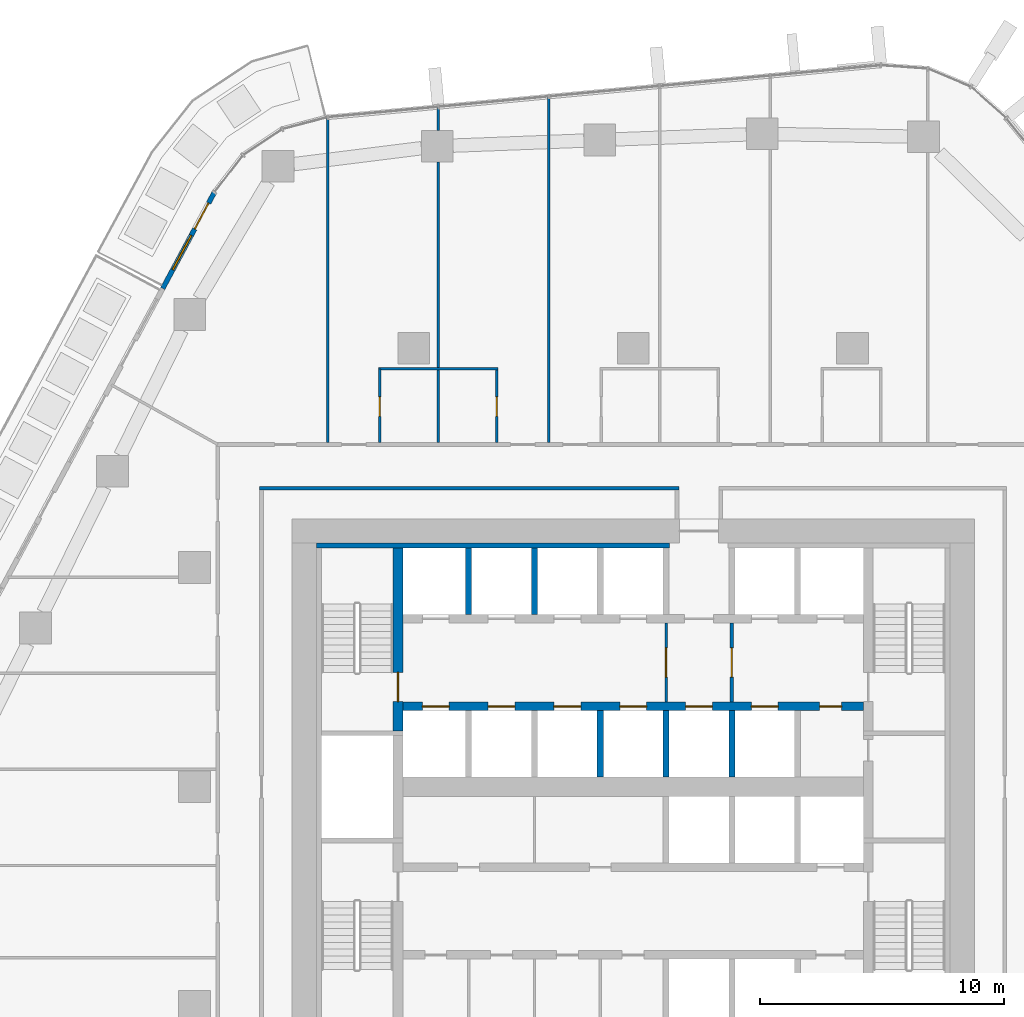
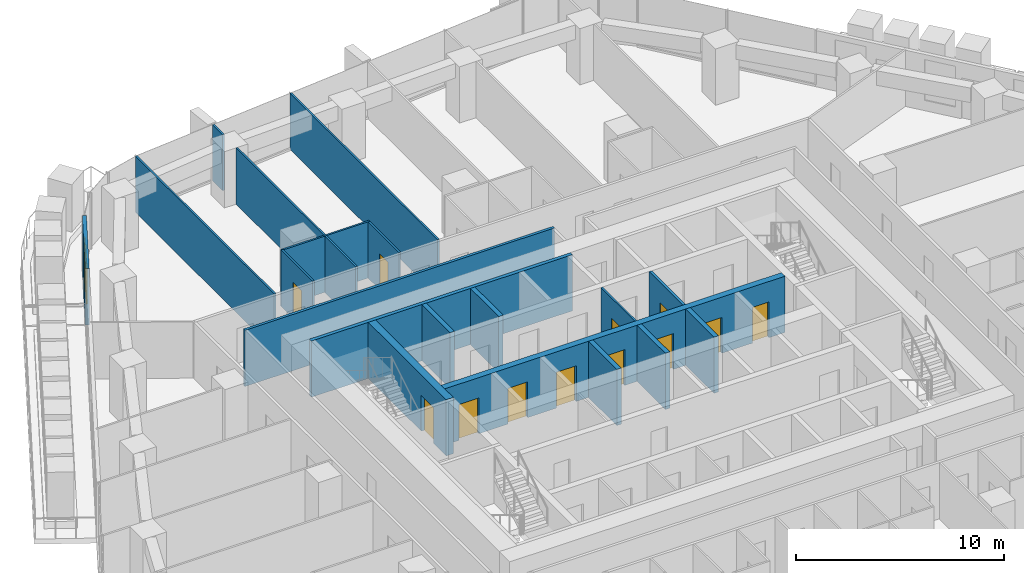
# One storey, part 15 of 24: 20 walls, 13 doors, 1 window, 14 openings.
"""IFC4 building model written with IfcOpenShell, lengths in metres."""

from ifc_helpers import new_model, si_unit, direction, frame, frame_2d, origin, place, context, subcontext, project, spatial, rectangle, extrude, material, layer, layer_set, type_object, element, fill, save


model = new_model("IFC4")

# Units and contexts
model_context = context("Model", 3, precision=1e-05, world=origin(), true_north=direction((0.0, 1.0)))
body_context = subcontext(model_context, "Body", "Model", "MODEL_VIEW")
ifc_project = project(units=[si_unit("LENGTHUNIT", "METRE"), si_unit("AREAUNIT", "SQUARE_METRE"), si_unit("VOLUMEUNIT", "CUBIC_METRE"), si_unit("PLANEANGLEUNIT", "RADIAN"), si_unit("MASSUNIT", "GRAM", prefix="KILO")], contexts=[model_context])

# Site, building, storey
site_placement = place(None, origin())
site = spatial("IfcSite", under=ifc_project, at=site_placement, CompositionType="ELEMENT")
building_placement = place(site_placement, origin())
building = spatial("IfcBuilding", under=site, at=building_placement, Name="Dongbaek Canopy Tower", CompositionType="ELEMENT")
storey_placement = place(building_placement, frame((0.0, 0.0, 117.39990234375)))
storey = spatial("IfcBuildingStorey", under=building, at=storey_placement, Name="L25", CompositionType="ELEMENT", Elevation=117.39990234375)

# Wall, openings, doors
ifc_material_1 = material(Name="Concrete C60/75", Category="concrete")
ifc_layer_1 = layer(ifc_material_1, 0.35009765625)
ifc_layer_set_1 = layer_set([ifc_layer_1], Name="Core lobby wall 350 Concrete C60/75")
wall_type_1 = type_object("IfcWallType", Name="Core lobby wall 350 Concrete C60/75", PredefinedType="SHEAR", material=ifc_layer_set_1)
wall_1_placement = place(storey_placement, frame((9.449951171875, 3.300048828125, 0.0), z_axis=(0.0, 0.0, 1.0), x_axis=(-1.0, 0.0, 0.0)))
wall_1 = element("IfcWall", 1, at=wall_1_placement, inside=storey, type_object=wall_type_1, Name="Core wall", PredefinedType="SHEAR", context=body_context, shape_type="SweptSolid", body=[
    extrude(rectangle(XDim=18.89990234375, YDim=0.35009765625, at=frame_2d((9.449951171875, 0.0))), origin(), (0.0, 0.0, 1.0), 3.300048828125),
])
opening_1_placement = place(wall_1_placement, frame((17.0, 0.0, 0.0)))
opening_1 = element("IfcOpeningElement", 2, at=opening_1_placement, cuts=wall_1, Name="Opening L25-D052", PredefinedType="OPENING", context=body_context, shape_type="SweptSolid", body=[
    extrude(rectangle(XDim=1.10009765625, YDim=2.10009765625, at=frame_2d((0.550048828125, 1.050048828125))), frame((0.0, 0.18505859375, 0.0), z_axis=(0.0, -1.0, 0.0), x_axis=(1.0, 0.0, 0.0)), (0.0, 0.0, 1.0), 0.3701171875),
])
opening_2_placement = place(wall_1_placement, frame((14.300048828125, 0.0, 0.0)))
opening_2 = element("IfcOpeningElement", 3, at=opening_2_placement, cuts=wall_1, Name="Opening L25-D053", PredefinedType="OPENING", context=body_context, shape_type="SweptSolid", body=[
    extrude(rectangle(XDim=1.10009765625, YDim=2.10009765625, at=frame_2d((0.550048828125, 1.050048828125))), frame((0.0, 0.18505859375, 0.0), z_axis=(0.0, -1.0, 0.0), x_axis=(1.0, 0.0, 0.0)), (0.0, 0.0, 1.0), 0.3701171875),
])
opening_3_placement = place(wall_1_placement, frame((11.60009765625, 0.0, 0.0)))
opening_3 = element("IfcOpeningElement", 4, at=opening_3_placement, cuts=wall_1, Name="Opening L25-D054", PredefinedType="OPENING", context=body_context, shape_type="SweptSolid", body=[
    extrude(rectangle(XDim=1.10009765625, YDim=2.10009765625, at=frame_2d((0.550048828125, 1.050048828125))), frame((0.0, 0.18505859375, 0.0), z_axis=(0.0, -1.0, 0.0), x_axis=(1.0, 0.0, 0.0)), (0.0, 0.0, 1.0), 0.3701171875),
])
opening_4_placement = place(wall_1_placement, frame((8.89990234375, 0.0, 0.0)))
opening_4 = element("IfcOpeningElement", 5, at=opening_4_placement, cuts=wall_1, Name="Opening L25-D055", PredefinedType="OPENING", context=body_context, shape_type="SweptSolid", body=[
    extrude(rectangle(XDim=1.10009765625, YDim=2.10009765625, at=frame_2d((0.550048828125, 1.050048828125))), frame((0.0, 0.18505859375, 0.0), z_axis=(0.0, -1.0, 0.0), x_axis=(1.0, 0.0, 0.0)), (0.0, 0.0, 1.0), 0.3701171875),
])
opening_5_placement = place(wall_1_placement, frame((6.199951171875, 0.0, 0.0)))
opening_5 = element("IfcOpeningElement", 6, at=opening_5_placement, cuts=wall_1, Name="Opening L25-D056", PredefinedType="OPENING", context=body_context, shape_type="SweptSolid", body=[
    extrude(rectangle(XDim=1.10009765625, YDim=2.10009765625, at=frame_2d((0.550048828125, 1.050048828125))), frame((0.0, 0.18505859375, 0.0), z_axis=(0.0, -1.0, 0.0), x_axis=(1.0, 0.0, 0.0)), (0.0, 0.0, 1.0), 0.3701171875),
])
opening_6_placement = place(wall_1_placement, frame((3.5, 0.0, 0.0)))
opening_6 = element("IfcOpeningElement", 7, at=opening_6_placement, cuts=wall_1, Name="Opening L25-D057", PredefinedType="OPENING", context=body_context, shape_type="SweptSolid", body=[
    extrude(rectangle(XDim=1.10009765625, YDim=2.10009765625, at=frame_2d((0.550048828125, 1.050048828125))), frame((0.0, 0.18505859375, 0.0), z_axis=(0.0, -1.0, 0.0), x_axis=(1.0, 0.0, 0.0)), (0.0, 0.0, 1.0), 0.3701171875),
])
opening_7_placement = place(wall_1_placement, frame((0.89990234375, 0.0, 0.0)))
opening_7 = element("IfcOpeningElement", 8, at=opening_7_placement, cuts=wall_1, Name="Opening L25-D058", PredefinedType="OPENING", context=body_context, shape_type="SweptSolid", body=[
    extrude(rectangle(XDim=0.89990234375, YDim=2.10009765625, at=frame_2d((0.449951171875, 1.050048828125))), frame((0.0, 0.18505859375, 0.0), z_axis=(0.0, -1.0, 0.0), x_axis=(1.0, 0.0, 0.0)), (0.0, 0.0, 1.0), 0.3701171875),
])
ifc_material_2 = material(Name="Steel", Category="steel")
door_type_1 = type_object("IfcDoorType", Name="Core room door 900 x 2100", OperationType="SINGLE_SWING_LEFT", PredefinedType="DOOR", material=ifc_material_2)
door_1_placement = place(opening_7_placement, origin())
door_1 = element("IfcDoor", 9, at=door_1_placement, inside=storey, type_object=door_type_1, Name="Door L25-D058", OperationType="SINGLE_SWING_LEFT", OverallHeight=2.10009765625, OverallWidth=0.89990234375, PredefinedType="DOOR", context=body_context, shape_type="SweptSolid", body=[
    extrude(rectangle(XDim=0.89990234375, YDim=2.10009765625, at=frame_2d((0.449951171875, 1.050048828125))), frame((0.0, 0.02490234375, 0.0), z_axis=(0.0, -1.0, 0.0), x_axis=(1.0, 0.0, 0.0)), (0.0, 0.0, 1.0), 0.050048828125),
])
fill(opening_7, door_1)
ifc_material_3 = material(Name="Stainless steel", Category="steel")
door_type_2 = type_object("IfcDoorType", Name="Lift landing door 1100 x 2100", OperationType="DOUBLE_DOOR_SLIDING", PredefinedType="DOOR", material=ifc_material_3)
door_2_placement = place(opening_1_placement, origin())
door_2 = element("IfcDoor", 10, at=door_2_placement, inside=storey, type_object=door_type_2, Name="Landing door LR5", OperationType="DOUBLE_DOOR_SLIDING", OverallHeight=2.10009765625, OverallWidth=1.10009765625, PredefinedType="DOOR", context=body_context, shape_type="SweptSolid", body=[
    extrude(rectangle(XDim=1.10009765625, YDim=2.10009765625, at=frame_2d((0.550048828125, 1.050048828125))), frame((0.0, 0.02490234375, 0.0), z_axis=(0.0, -1.0, 0.0), x_axis=(1.0, 0.0, 0.0)), (0.0, 0.0, 1.0), 0.050048828125),
])
fill(opening_1, door_2)
door_3_placement = place(opening_2_placement, origin())
door_3 = element("IfcDoor", 11, at=door_3_placement, inside=storey, type_object=door_type_2, Name="Landing door LR6", OperationType="DOUBLE_DOOR_SLIDING", OverallHeight=2.10009765625, OverallWidth=1.10009765625, PredefinedType="DOOR", context=body_context, shape_type="SweptSolid", body=[
    extrude(rectangle(XDim=1.10009765625, YDim=2.10009765625, at=frame_2d((0.550048828125, 1.050048828125))), frame((0.0, 0.02490234375, 0.0), z_axis=(0.0, -1.0, 0.0), x_axis=(1.0, 0.0, 0.0)), (0.0, 0.0, 1.0), 0.050048828125),
])
fill(opening_2, door_3)
door_4_placement = place(opening_3_placement, origin())
door_4 = element("IfcDoor", 12, at=door_4_placement, inside=storey, type_object=door_type_2, Name="Landing door LR7", OperationType="DOUBLE_DOOR_SLIDING", OverallHeight=2.10009765625, OverallWidth=1.10009765625, PredefinedType="DOOR", context=body_context, shape_type="SweptSolid", body=[
    extrude(rectangle(XDim=1.10009765625, YDim=2.10009765625, at=frame_2d((0.550048828125, 1.050048828125))), frame((0.0, 0.02490234375, 0.0), z_axis=(0.0, -1.0, 0.0), x_axis=(1.0, 0.0, 0.0)), (0.0, 0.0, 1.0), 0.050048828125),
])
fill(opening_3, door_4)
door_5_placement = place(opening_4_placement, origin())
door_5 = element("IfcDoor", 13, at=door_5_placement, inside=storey, type_object=door_type_2, Name="Landing door LR8", OperationType="DOUBLE_DOOR_SLIDING", OverallHeight=2.10009765625, OverallWidth=1.10009765625, PredefinedType="DOOR", context=body_context, shape_type="SweptSolid", body=[
    extrude(rectangle(XDim=1.10009765625, YDim=2.10009765625, at=frame_2d((0.550048828125, 1.050048828125))), frame((0.0, 0.02490234375, 0.0), z_axis=(0.0, -1.0, 0.0), x_axis=(1.0, 0.0, 0.0)), (0.0, 0.0, 1.0), 0.050048828125),
])
fill(opening_4, door_5)
door_6_placement = place(opening_5_placement, origin())
door_6 = element("IfcDoor", 14, at=door_6_placement, inside=storey, type_object=door_type_2, Name="Landing door SV1", OperationType="DOUBLE_DOOR_SLIDING", OverallHeight=2.10009765625, OverallWidth=1.10009765625, PredefinedType="DOOR", context=body_context, shape_type="SweptSolid", body=[
    extrude(rectangle(XDim=1.10009765625, YDim=2.10009765625, at=frame_2d((0.550048828125, 1.050048828125))), frame((0.0, 0.02490234375, 0.0), z_axis=(0.0, -1.0, 0.0), x_axis=(1.0, 0.0, 0.0)), (0.0, 0.0, 1.0), 0.050048828125),
])
fill(opening_5, door_6)
door_7_placement = place(opening_6_placement, origin())
door_7 = element("IfcDoor", 15, at=door_7_placement, inside=storey, type_object=door_type_2, Name="Landing door FF3", OperationType="DOUBLE_DOOR_SLIDING", OverallHeight=2.10009765625, OverallWidth=1.10009765625, PredefinedType="DOOR", context=body_context, shape_type="SweptSolid", body=[
    extrude(rectangle(XDim=1.10009765625, YDim=2.10009765625, at=frame_2d((0.550048828125, 1.050048828125))), frame((0.0, 0.02490234375, 0.0), z_axis=(0.0, -1.0, 0.0), x_axis=(1.0, 0.0, 0.0)), (0.0, 0.0, 1.0), 0.050048828125),
])
fill(opening_6, door_7)

# Walls
ifc_material_4 = material(Name="Concrete C60/75", Category="concrete")
ifc_layer_2 = layer(ifc_material_4, 0.199951171875)
ifc_layer_set_2 = layer_set([ifc_layer_2], Name="Core wall lining 200 Concrete C60/75")
wall_type_2 = type_object("IfcWallType", Name="Core wall lining 200 Concrete C60/75", PredefinedType="SHEAR", material=ifc_layer_set_2)
wall_2_placement = place(storey_placement, frame((-13.0, 9.89990234375, 0.0), z_axis=(0.0, 0.0, 1.0), x_axis=(1.0, 0.0, 0.0)))
element("IfcWall", 16, at=wall_2_placement, inside=storey, type_object=wall_type_2, Name="Core wall lining", PredefinedType="SHEAR", context=body_context, shape_type="SweptSolid", body=[
    extrude(rectangle(XDim=14.5, YDim=0.199951171875, at=frame_2d((7.25, 0.0))), origin(), (0.0, 0.0, 1.0), 3.300048828125),
])
ifc_material_5 = material(Name="Gypsum board partition, steel stud, 2 x 15 mm fire board", Category="steel")
ifc_layer_3 = layer(ifc_material_5, 0.14990234375)
ifc_layer_set_3 = layer_set([ifc_layer_3], Name="Fire-rated partition 150 gypsum board")
wall_type_3 = type_object("IfcWallType", Name="Fire-rated partition 150 gypsum board", PredefinedType="PARTITIONING", material=ifc_layer_set_3)
wall_3_placement = place(storey_placement, frame((-15.324951171875, 12.25, 0.0), z_axis=(0.0, 0.0, 1.0), x_axis=(1.0, 0.0, 0.0)))
element("IfcWall", 17, at=wall_3_placement, inside=storey, type_object=wall_type_3, Name="Corridor partition", PredefinedType="PARTITIONING", context=body_context, shape_type="SweptSolid", body=[
    extrude(rectangle(XDim=17.199951171875, YDim=0.14990234375, at=frame_2d((8.60009765625, 0.0))), origin(), (0.0, 0.0, 1.0), 3.300048828125),
])

# Wall, opening, door
wall_4_placement = place(storey_placement, frame((4.050048828125, 6.72509765625, 0.0), z_axis=(0.0, 0.0, 1.0), x_axis=(0.0, -1.0, 0.0)))
wall_4 = element("IfcWall", 18, at=wall_4_placement, inside=storey, type_object=wall_type_3, Name="Fire lobby partition", PredefinedType="PARTITIONING", context=body_context, shape_type="SweptSolid", body=[
    extrude(rectangle(XDim=3.25, YDim=0.14990234375, at=frame_2d((1.625, 0.0))), origin(), (0.0, 0.0, 1.0), 3.300048828125),
])
opening_8_placement = place(wall_4_placement, frame((1.02490234375, 0.0, 0.0)))
opening_8 = element("IfcOpeningElement", 19, at=opening_8_placement, cuts=wall_4, Name="Opening L25-D073", PredefinedType="OPENING", context=body_context, shape_type="SweptSolid", body=[
    extrude(rectangle(XDim=1.199951171875, YDim=2.10009765625, at=frame_2d((0.60009765625, 1.050048828125))), frame((0.0, 0.0849609375, 0.0), z_axis=(0.0, -1.0, 0.0), x_axis=(1.0, 0.0, 0.0)), (0.0, 0.0, 1.0), 0.169921875),
])
ifc_material_6 = material(Name="Steel", Category="steel")
door_type_3 = type_object("IfcDoorType", Name="Fire lobby door 1200 x 2100", OperationType="SINGLE_SWING_LEFT", PredefinedType="DOOR", material=ifc_material_6)
door_8_placement = place(opening_8_placement, origin())
door_8 = element("IfcDoor", 20, at=door_8_placement, inside=storey, type_object=door_type_3, Name="Door L25-D073", OperationType="SINGLE_SWING_RIGHT", OverallHeight=2.10009765625, OverallWidth=1.199951171875, PredefinedType="DOOR", context=body_context, shape_type="SweptSolid", body=[
    extrude(rectangle(XDim=1.199951171875, YDim=2.10009765625, at=frame_2d((0.60009765625, 1.050048828125))), frame((0.0, 0.02490234375, 0.0), z_axis=(0.0, -1.0, 0.0), x_axis=(1.0, 0.0, 0.0)), (0.0, 0.0, 1.0), 0.050048828125),
])
fill(opening_8, door_8)

# Walls
ifc_material_7 = material(Name="Concrete C40/50", Category="concrete")
ifc_layer_4 = layer(ifc_material_7, 0.25)
ifc_layer_set_4 = layer_set([ifc_layer_4], Name="Lift shaft wall 250 Concrete C40/50")
wall_type_4 = type_object("IfcWallType", Name="Lift shaft wall 250 Concrete C40/50", PredefinedType="SOLIDWALL", material=ifc_layer_set_4)
for number, where, z_axis, x_axis, name in (
    (21, (4.050048828125, 0.39990234375, 0.0), (0.0, 0.0, 1.0), (0.0, 1.0, 0.0), "Lift shaft wall"),
    (22, (1.35009765625, 0.39990234375, 0.0), (0.0, 0.0, 1.0), (0.0, 1.0, 0.0), "Lift shaft wall"),
    (23, (-1.35009765625, 0.39990234375, 0.0), (0.0, 0.0, 1.0), (0.0, 1.0, 0.0), "Lift shaft wall"),
    (24, (-4.050048828125, 7.074951171875, 0.0), (0.0, 0.0, 1.0), (0.0, 1.0, 0.0), "Lift shaft wall"),
    (25, (-6.75, 7.074951171875, 0.0), (0.0, 0.0, 1.0), (0.0, 1.0, 0.0), "Lift shaft wall"),
):
    element("IfcWall", number, at=place(storey_placement, frame(where, z_axis=z_axis, x_axis=x_axis)), inside=storey, type_object=wall_type_4, Name=name, PredefinedType="SOLIDWALL", context=body_context, shape_type="SweptSolid", body=[
        extrude(rectangle(XDim=2.72509765625, YDim=0.25, at=frame_2d((1.362548828125, 0.0))), origin(), (0.0, 0.0, 1.0), 3.300048828125),
    ])
ifc_material_8 = material(Name="Gypsum board partition, steel stud, 2 x 12.5 mm board", Category="steel")
ifc_layer_5 = layer(ifc_material_8, 0.10009765625)
ifc_layer_set_5 = layer_set([ifc_layer_5], Name="Partition 100 gypsum board")
wall_type_5 = type_object("IfcWallType", Name="Partition 100 gypsum board", PredefinedType="PARTITIONING", material=ifc_layer_set_5)
wall_5_placement = place(storey_placement, frame((-10.44677734375, 17.14990234375, 0.0), z_axis=(0.0, 0.0, 1.0), x_axis=(1.0, 0.0, 0.0)))
element("IfcWall", 26, at=wall_5_placement, inside=storey, type_object=wall_type_5, Name="Partition", PredefinedType="PARTITIONING", context=body_context, shape_type="SweptSolid", body=[
    extrude(rectangle(XDim=4.900146484375, YDim=0.10009765625, at=frame_2d((2.4501953125, 0.0))), origin(), (0.0, 0.0, 1.0), 3.300048828125),
])
wall_6_placement = place(storey_placement, frame((-3.455078125, 14.125, 0.0), z_axis=(0.0, 0.0, 1.0), x_axis=(0.0, 1.0, 0.0)))
element("IfcWall", 27, at=wall_6_placement, inside=storey, type_object=wall_type_5, Name="Partition", PredefinedType="PARTITIONING", context=body_context, shape_type="SweptSolid", body=[
    extrude(rectangle(XDim=14.1875, YDim=0.10009765625, at=frame_2d((7.09375, 0.0))), origin(), (0.0, 0.0, 1.0), 3.300048828125),
])

# Wall, opening, door
wall_7_placement = place(storey_placement, frame((-5.596923828125, 14.125, 0.0), z_axis=(0.0, 0.0, 1.0), x_axis=(0.0, 1.0, 0.0)))
wall_7 = element("IfcWall", 28, at=wall_7_placement, inside=storey, type_object=wall_type_5, Name="Partition", PredefinedType="PARTITIONING", context=body_context, shape_type="SweptSolid", body=[
    extrude(rectangle(XDim=2.97509765625, YDim=0.10009765625, at=frame_2d((1.487548828125, 0.0))), origin(), (0.0, 0.0, 1.0), 3.300048828125),
])
opening_9_placement = place(wall_7_placement, frame((1.074951171875, 0.0, 0.0)))
opening_9 = element("IfcOpeningElement", 29, at=opening_9_placement, cuts=wall_7, Name="Opening L25-D033", PredefinedType="OPENING", context=body_context, shape_type="SweptSolid", body=[
    extrude(rectangle(XDim=0.800048828125, YDim=2.10009765625, at=frame_2d((0.39990234375, 1.050048828125))), frame((0.0, 0.06005859375, 0.0), z_axis=(0.0, -1.0, 0.0), x_axis=(1.0, 0.0, 0.0)), (0.0, 0.0, 1.0), 0.1201171875),
])
ifc_material_9 = material(Name="Timber veneered door leaf", Category="wood")
door_type_4 = type_object("IfcDoorType", Name="En-suite door 800 x 2100", OperationType="SINGLE_SWING_LEFT", PredefinedType="DOOR", material=ifc_material_9)
door_9_placement = place(opening_9_placement, origin())
door_9 = element("IfcDoor", 30, at=door_9_placement, inside=storey, type_object=door_type_4, Name="Door L25-D033", OperationType="SINGLE_SWING_RIGHT", OverallHeight=2.10009765625, OverallWidth=0.800048828125, PredefinedType="DOOR", context=body_context, shape_type="SweptSolid", body=[
    extrude(rectangle(XDim=0.800048828125, YDim=2.10009765625, at=frame_2d((0.39990234375, 1.050048828125))), frame((0.0, 0.02490234375, 0.0), z_axis=(0.0, -1.0, 0.0), x_axis=(1.0, 0.0, 0.0)), (0.0, 0.0, 1.0), 0.050048828125),
])
fill(opening_9, door_9)

# Walls
wall_8_placement = place(storey_placement, frame((-7.9970703125, 14.125, 0.0), z_axis=(0.0, 0.0, 1.0), x_axis=(0.0, 1.0, 0.0)))
element("IfcWall", 31, at=wall_8_placement, inside=storey, type_object=wall_type_5, Name="Partition", PredefinedType="PARTITIONING", context=body_context, shape_type="SweptSolid", body=[
    extrude(rectangle(XDim=2.97509765625, YDim=0.10009765625, at=frame_2d((1.487548828125, 0.0))), origin(), (0.0, 0.0, 1.0), 3.300048828125),
])
wall_9_placement = place(storey_placement, frame((-7.9970703125, 17.199951171875, 0.0), z_axis=(0.0, 0.0, 1.0), x_axis=(0.0, 1.0, 0.0)))
element("IfcWall", 32, at=wall_9_placement, inside=storey, type_object=wall_type_5, Name="Partition", PredefinedType="PARTITIONING", context=body_context, shape_type="SweptSolid", body=[
    extrude(rectangle(XDim=8.43798828125, YDim=0.10009765625, at=frame_2d((4.218994140625, 0.0))), origin(), (0.0, 0.0, 1.0), 3.300048828125),
])
wall_10_placement = place(storey_placement, frame((-7.9970703125, 26.93798828125, 0.0), z_axis=(0.0, 0.0, 1.0), x_axis=(0.0, 1.0, 0.0)))
element("IfcWall", 33, at=wall_10_placement, inside=storey, type_object=wall_type_5, Name="Partition", PredefinedType="PARTITIONING", context=body_context, shape_type="SweptSolid", body=[
    extrude(rectangle(XDim=0.94873046875, YDim=0.10009765625, at=frame_2d((0.474365234375, 0.0))), origin(), (0.0, 0.0, 1.0), 3.300048828125),
])

# Wall, opening, door
wall_11_placement = place(storey_placement, frame((-10.39697265625, 17.14990234375, 0.0), z_axis=(0.0, 0.0, 1.0), x_axis=(0.0, -1.0, 0.0)))
wall_11 = element("IfcWall", 34, at=wall_11_placement, inside=storey, type_object=wall_type_5, Name="Partition", PredefinedType="PARTITIONING", context=body_context, shape_type="SweptSolid", body=[
    extrude(rectangle(XDim=3.02490234375, YDim=0.10009765625, at=frame_2d((1.512451171875, 0.0))), origin(), (0.0, 0.0, 1.0), 3.300048828125),
])
opening_10_placement = place(wall_11_placement, frame((1.14990234375, 0.0, 0.0)))
opening_10 = element("IfcOpeningElement", 35, at=opening_10_placement, cuts=wall_11, Name="Opening L25-D035", PredefinedType="OPENING", context=body_context, shape_type="SweptSolid", body=[
    extrude(rectangle(XDim=0.800048828125, YDim=2.10009765625, at=frame_2d((0.39990234375, 1.050048828125))), frame((0.0, 0.06005859375, 0.0), z_axis=(0.0, -1.0, 0.0), x_axis=(1.0, 0.0, 0.0)), (0.0, 0.0, 1.0), 0.1201171875),
])
door_10_placement = place(opening_10_placement, origin())
door_10 = element("IfcDoor", 36, at=door_10_placement, inside=storey, type_object=door_type_4, Name="Door L25-D035", OperationType="SINGLE_SWING_LEFT", OverallHeight=2.10009765625, OverallWidth=0.800048828125, PredefinedType="DOOR", context=body_context, shape_type="SweptSolid", body=[
    extrude(rectangle(XDim=0.800048828125, YDim=2.10009765625, at=frame_2d((0.39990234375, 1.050048828125))), frame((0.0, 0.02490234375, 0.0), z_axis=(0.0, -1.0, 0.0), x_axis=(1.0, 0.0, 0.0)), (0.0, 0.0, 1.0), 0.050048828125),
])
fill(opening_10, door_10)

# Wall
wall_12_placement = place(storey_placement, frame((-12.530029296875, 14.125, 0.0), z_axis=(0.0, 0.0, 1.0), x_axis=(0.0, 1.0, 0.0)))
element("IfcWall", 37, at=wall_12_placement, inside=storey, type_object=wall_type_5, Name="Partition", PredefinedType="PARTITIONING", context=body_context, shape_type="SweptSolid", body=[
    extrude(rectangle(XDim=13.335693359375, YDim=0.10009765625, at=frame_2d((6.66796875, 0.0))), origin(), (0.0, 0.0, 1.0), 3.300048828125),
])

# Wall, opening, door
wall_13_placement = place(storey_placement, frame((1.35009765625, 6.72509765625, 0.0), z_axis=(0.0, 0.0, 1.0), x_axis=(0.0, -1.0, 0.0)))
wall_13 = element("IfcWall", 38, at=wall_13_placement, inside=storey, type_object=wall_type_5, Name="Core partition", PredefinedType="PARTITIONING", context=body_context, shape_type="SweptSolid", body=[
    extrude(rectangle(XDim=3.25, YDim=0.10009765625, at=frame_2d((1.625, 0.0))), origin(), (0.0, 0.0, 1.0), 3.300048828125),
])
opening_11_placement = place(wall_13_placement, frame((1.02490234375, 0.0, 0.0)))
opening_11 = element("IfcOpeningElement", 39, at=opening_11_placement, cuts=wall_13, Name="Opening L25-D072", PredefinedType="OPENING", context=body_context, shape_type="SweptSolid", body=[
    extrude(rectangle(XDim=1.199951171875, YDim=2.10009765625, at=frame_2d((0.60009765625, 1.050048828125))), frame((0.0, 0.06005859375, 0.0), z_axis=(0.0, -1.0, 0.0), x_axis=(1.0, 0.0, 0.0)), (0.0, 0.0, 1.0), 0.1201171875),
])
door_11_placement = place(opening_11_placement, origin())
door_11 = element("IfcDoor", 40, at=door_11_placement, inside=storey, type_object=door_type_3, Name="Door L25-D072", OperationType="SINGLE_SWING_LEFT", OverallHeight=2.10009765625, OverallWidth=1.199951171875, PredefinedType="DOOR", context=body_context, shape_type="SweptSolid", body=[
    extrude(rectangle(XDim=1.199951171875, YDim=2.10009765625, at=frame_2d((0.60009765625, 1.050048828125))), frame((0.0, 0.02490234375, 0.0), z_axis=(0.0, -1.0, 0.0), x_axis=(1.0, 0.0, 0.0)), (0.0, 0.0, 1.0), 0.050048828125),
])
fill(opening_11, door_11)

ifc_material_10 = material(Name="Concrete C60/75", Category="concrete")
ifc_layer_6 = layer(ifc_material_10, 0.39990234375)
ifc_layer_set_6 = layer_set([ifc_layer_6], Name="Stair wall 400 Concrete C60/75")
wall_type_6 = type_object("IfcWallType", Name="Stair wall 400 Concrete C60/75", PredefinedType="SHEAR", material=ifc_layer_set_6)
wall_14_placement = place(storey_placement, frame((-9.64990234375, 2.300048828125, 0.0), z_axis=(0.0, 0.0, 1.0), x_axis=(0.0, 1.0, 0.0)))
wall_14 = element("IfcWall", 41, at=wall_14_placement, inside=storey, type_object=wall_type_6, Name="Stair wall", PredefinedType="SHEAR", context=body_context, shape_type="SweptSolid", body=[
    extrude(rectangle(XDim=7.5, YDim=0.39990234375, at=frame_2d((3.75, 0.0))), origin(), (0.0, 0.0, 1.0), 3.300048828125),
])
opening_12_placement = place(wall_14_placement, frame((1.199951171875, 0.0, 0.0)))
opening_12 = element("IfcOpeningElement", 42, at=opening_12_placement, cuts=wall_14, Name="Opening L25-D069", PredefinedType="OPENING", context=body_context, shape_type="SweptSolid", body=[
    extrude(rectangle(XDim=1.199951171875, YDim=2.10009765625, at=frame_2d((0.60009765625, 1.050048828125))), frame((0.0, 0.2099609375, 0.0), z_axis=(0.0, -1.0, 0.0), x_axis=(1.0, 0.0, 0.0)), (0.0, 0.0, 1.0), 0.419921875),
])
ifc_material_11 = material(Name="Steel", Category="steel")
door_type_5 = type_object("IfcDoorType", Name="Stair door 1200 x 2100", OperationType="SINGLE_SWING_LEFT", PredefinedType="DOOR", material=ifc_material_11)
door_12_placement = place(opening_12_placement, origin())
door_12 = element("IfcDoor", 43, at=door_12_placement, inside=storey, type_object=door_type_5, Name="Stair C door", OperationType="SINGLE_SWING_RIGHT", OverallHeight=2.10009765625, OverallWidth=1.199951171875, PredefinedType="DOOR", context=body_context, shape_type="SweptSolid", body=[
    extrude(rectangle(XDim=1.199951171875, YDim=2.10009765625, at=frame_2d((0.60009765625, 1.050048828125))), frame((0.0, 0.02490234375, 0.0), z_axis=(0.0, -1.0, 0.0), x_axis=(1.0, 0.0, 0.0)), (0.0, 0.0, 1.0), 0.050048828125),
])
fill(opening_12, door_12)

# Wall, openings, door, window
ifc_material_12 = material(Name="Aluminium window wall", Category="aluminium")
ifc_layer_7 = layer(ifc_material_12, 0.199951171875)
ifc_layer_set_7 = layer_set([ifc_layer_7], Name="Window wall 200")
wall_type_7 = type_object("IfcWallType", Name="Window wall 200", PredefinedType="SOLIDWALL", material=ifc_layer_set_7)
wall_15_placement = place(storey_placement, frame((-17.1884765625, 24.392333984375, 0.0), z_axis=(0.0, 0.0, 1.0), x_axis=(-0.473387015207, -0.88085454749, 0.0)))
wall_15 = element("IfcWall", 44, at=wall_15_placement, inside=storey, type_object=wall_type_7, Name="Window wall L25 6", PredefinedType="SOLIDWALL", context=body_context, shape_type="SweptSolid", body=[
    extrude(rectangle(XDim=4.473876953125, YDim=0.199951171875, at=frame_2d((2.23681640625, 0.0))), origin(), (0.0, 0.0, 1.0), 3.300048828125),
])
opening_13_placement = place(wall_15_placement, frame((2.0, 0.0, 0.60009765625)))
opening_13 = element("IfcOpeningElement", 45, at=opening_13_placement, cuts=wall_15, Name="Opening W1", PredefinedType="OPENING", context=body_context, shape_type="SweptSolid", body=[
    extrude(rectangle(XDim=1.60009765625, YDim=2.39990234375, at=frame_2d((0.800048828125, 1.199951171875))), frame((0.0, 0.10986328125, 0.0), z_axis=(0.0, -1.0, 0.0), x_axis=(1.0, 0.0, 0.0)), (0.0, 0.0, 1.0), 0.219970703125),
])
opening_14_placement = place(wall_15_placement, frame((0.5, 0.0, 0.0)))
opening_14 = element("IfcOpeningElement", 46, at=opening_14_placement, cuts=wall_15, Name="Opening L25-B08", PredefinedType="OPENING", context=body_context, shape_type="SweptSolid", body=[
    extrude(rectangle(XDim=1.199951171875, YDim=2.39990234375, at=frame_2d((0.60009765625, 1.199951171875))), frame((0.0, 0.10986328125, 0.0), z_axis=(0.0, -1.0, 0.0), x_axis=(1.0, 0.0, 0.0)), (0.0, 0.0, 1.0), 0.219970703125),
])
ifc_material_13 = material(Name="Clear glazing in aluminium frame", Category="aluminium")
door_type_6 = type_object("IfcDoorType", Name="Balcony door BD1 1200 x 2400", OperationType="SLIDING_TO_LEFT", PredefinedType="DOOR", material=ifc_material_13)
door_13_placement = place(opening_14_placement, origin())
door_13 = element("IfcDoor", 47, at=door_13_placement, inside=storey, type_object=door_type_6, Name="Balcony door L25-B08", OperationType="SLIDING_TO_LEFT", OverallHeight=2.39990234375, OverallWidth=1.199951171875, PredefinedType="DOOR", context=body_context, shape_type="SweptSolid", body=[
    extrude(rectangle(XDim=1.199951171875, YDim=2.39990234375, at=frame_2d((0.60009765625, 1.199951171875))), frame((0.0, 0.02490234375, 0.0), z_axis=(0.0, -1.0, 0.0), x_axis=(1.0, 0.0, 0.0)), (0.0, 0.0, 1.0), 0.050048828125),
])
fill(opening_14, door_13)
ifc_material_14 = material(Name="Clear glazing in aluminium frame", Category="aluminium")
window_type = type_object("IfcWindowType", Name="Window W1 1600 x 2400", PartitioningType="SINGLE_PANEL", PredefinedType="WINDOW", material=ifc_material_14)
window_placement = place(opening_13_placement, origin())
window = element("IfcWindow", 48, at=window_placement, inside=storey, type_object=window_type, Name="Window L25 6.1", OverallHeight=2.39990234375, OverallWidth=1.60009765625, PartitioningType="SINGLE_PANEL", PredefinedType="WINDOW", context=body_context, shape_type="SweptSolid", body=[
    extrude(rectangle(XDim=1.60009765625, YDim=2.39990234375, at=frame_2d((0.800048828125, 1.199951171875))), frame((0.0, 0.030029296875, 0.0), z_axis=(0.0, -1.0, 0.0), x_axis=(1.0, 0.0, 0.0)), (0.0, 0.0, 1.0), 0.06005859375),
])
fill(opening_13, window)

save(model, "model.ifc")
